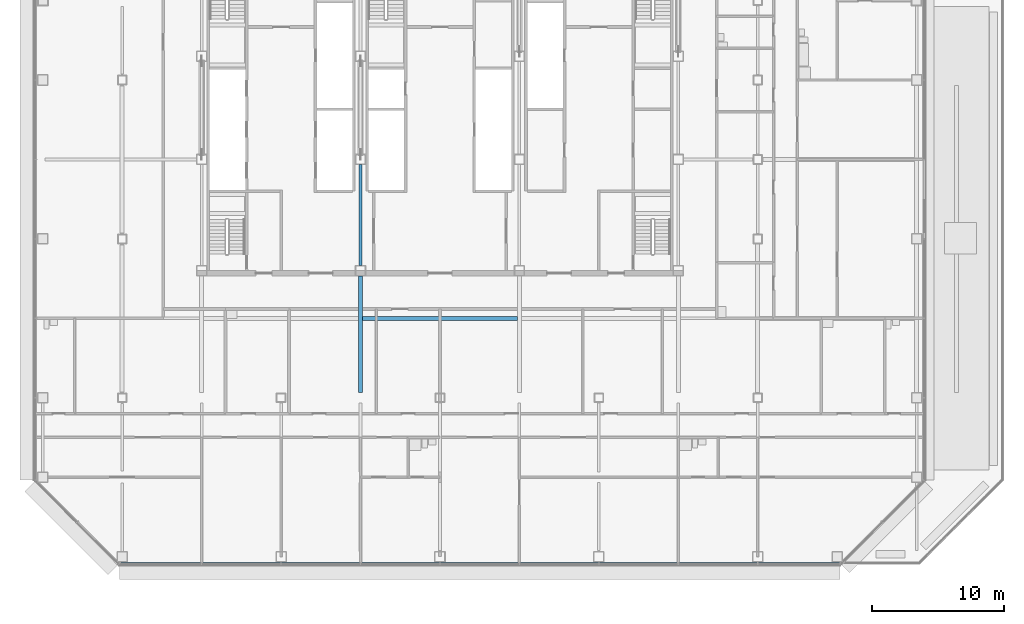
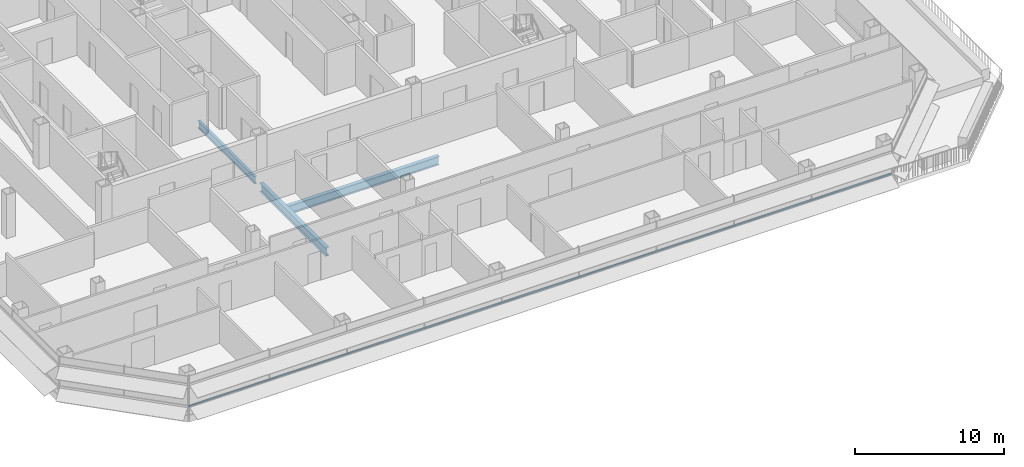
# One storey, part 7 of 28: 3 beams, 1 member, 1 element without a shape of its own.
"""IFC4 building model written with IfcOpenShell, lengths in metres."""

from ifc_helpers import new_model, si_unit, direction, frame, origin, origin_2d, place, context, subcontext, project, spatial, rectangle, i_section, extrude, material, material_profile, profile_set, type_object, element, aggregate, save


model = new_model("IFC4")

# Units and contexts
model_context = context("Model", 3, precision=1e-05, world=origin(), true_north=direction((0.0, 1.0)))
body_context = subcontext(model_context, "Body", "Model", "MODEL_VIEW")
ifc_project = project(units=[si_unit("LENGTHUNIT", "METRE"), si_unit("AREAUNIT", "SQUARE_METRE"), si_unit("VOLUMEUNIT", "CUBIC_METRE"), si_unit("PLANEANGLEUNIT", "RADIAN"), si_unit("MASSUNIT", "GRAM", prefix="KILO")], contexts=[model_context])

# Site, building, storey
site_placement = place(None, origin())
site = spatial("IfcSite", under=ifc_project, at=site_placement, CompositionType="ELEMENT")
building_placement = place(site_placement, origin())
building = spatial("IfcBuilding", under=site, at=building_placement, Name="Sorahane Residences", CompositionType="ELEMENT")
storey_placement = place(building_placement, frame((0.0, 0.0, 96.199951171875)))
storey = spatial("IfcBuildingStorey", under=building, at=storey_placement, Name="L20", CompositionType="ELEMENT", Elevation=96.199951171875)

# Curtain wall, member
ifc_material_1 = material(Name="Dark low-e glass and black anodised aluminium", Category="aluminium")
curtain_wall_type = type_object("IfcCurtainWallType", Name="Curtain wall CW-1 Typical unitised wall", PredefinedType="NOTDEFINED", material=ifc_material_1)
curtain_wall_placement = place(storey_placement, origin())
curtain_wall = element("IfcCurtainWall", 1, at=curtain_wall_placement, inside=storey, type_object=curtain_wall_type, Name="CW-1 curtain wall L20 S1", PredefinedType="NOTDEFINED")
ifc_material_2 = material(Name="Black anodised aluminium", Category="aluminium")
ifc_material_profile_1 = material_profile(ifc_material_2, rectangle(XDim=0.10009765625, YDim=0.06005859375, at=origin_2d()), Name="Curtain wall transom CW-1 black anodised aluminium 60x100")
ifc_profile_set_1 = profile_set([ifc_material_profile_1], Name="Black anodised aluminium")
member_type = type_object("IfcMemberType", Name="Curtain wall transom CW-1 black anodised aluminium 60x100", PredefinedType="USERDEFINED", material=ifc_profile_set_1)
member_placement = place(storey_placement, frame((-0.198486328125, -0.530029296875, 0.900146484375), z_axis=(1.0, 0.0, 0.0), x_axis=(0.0, 1.0, 0.0)))
member = element("IfcMember", 2, at=member_placement, type_object=member_type, Name="CW-1 transom L20 S1", ObjectType="TRANSOM", PredefinedType="USERDEFINED", context=body_context, shape_type="SweptSolid", body=[
    extrude(rectangle(XDim=0.10009765625, YDim=0.06005859375, at=origin_2d()), origin(), (0.0, 0.0, 1.0), 54.39697265625),
])
aggregate(curtain_wall, [member])

# Beams
ifc_material_3 = material(Name="Steel Q355B", Category="steel")
ifc_material_profile_2 = material_profile(ifc_material_3, i_section(OverallWidth=0.199951171875, OverallDepth=0.60009765625, WebThickness=0.010986328125, FlangeThickness=0.01708984375, FilletRadius=0.02392578125, at=origin_2d()), Name="HN 600x200x11x17")
ifc_profile_set_2 = profile_set([ifc_material_profile_2], Name="Steel Q355B")
beam_type_1 = type_object("IfcBeamType", Name="Steel floor beam HN 600x200x11x17 Q355B", PredefinedType="BEAM", material=ifc_profile_set_2)
beam_1_placement = place(storey_placement, frame((18.0, 22.0, -0.599853515625), z_axis=(0.0, 1.0, 0.0), x_axis=(-1.0, 0.0, 0.0)))
element("IfcBeam", 3, at=beam_1_placement, inside=storey, type_object=beam_type_1, Name="Beam L20 020", PredefinedType="BEAM", context=body_context, shape_type="SweptSolid", body=[
    extrude(i_section(OverallWidth=0.199951171875, OverallDepth=0.60009765625, WebThickness=0.010986328125, FlangeThickness=0.01708984375, FilletRadius=0.02392578125, at=origin_2d()), origin(), (0.0, 0.0, 1.0), 7.60009765625),
])
ifc_material_4 = material(Name="Steel Q355B", Category="steel")
ifc_material_profile_3 = material_profile(ifc_material_4, i_section(OverallWidth=0.300048828125, OverallDepth=0.699951171875, WebThickness=0.012939453125, FlangeThickness=0.02392578125, FilletRadius=0.028076171875, at=origin_2d()), Name="HN 700x300x13x24")
ifc_profile_set_3 = profile_set([ifc_material_profile_3], Name="Steel Q355B")
beam_type_2 = type_object("IfcBeamType", Name="Steel floor beam HN 700x300x13x24 Q355B", PredefinedType="BEAM", material=ifc_profile_set_3)
beam_2_placement = place(storey_placement, frame((18.0, 12.39990234375, -0.64990234375), z_axis=(0.0, 1.0, 0.0), x_axis=(-1.0, 0.0, 0.0)))
element("IfcBeam", 4, at=beam_2_placement, inside=storey, type_object=beam_type_2, Name="Beam L20 019", PredefinedType="BEAM", context=body_context, shape_type="SweptSolid", body=[
    extrude(i_section(OverallWidth=0.300048828125, OverallDepth=0.699951171875, WebThickness=0.012939453125, FlangeThickness=0.02392578125, FilletRadius=0.028076171875, at=origin_2d()), origin(), (0.0, 0.0, 1.0), 8.800048828125),
])
beam_3_placement = place(storey_placement, frame((18.14990234375, 18.0, -0.64990234375), z_axis=(1.0, 0.0, 0.0), x_axis=(0.0, 1.0, 0.0)))
element("IfcBeam", 5, at=beam_3_placement, inside=storey, type_object=beam_type_2, Name="Beam L20 060", PredefinedType="BEAM", context=body_context, shape_type="SweptSolid", body=[
    extrude(i_section(OverallWidth=0.300048828125, OverallDepth=0.699951171875, WebThickness=0.012939453125, FlangeThickness=0.02392578125, FilletRadius=0.028076171875, at=origin_2d()), origin(), (0.0, 0.0, 1.0), 11.7001953125),
])

save(model, "model.ifc")
